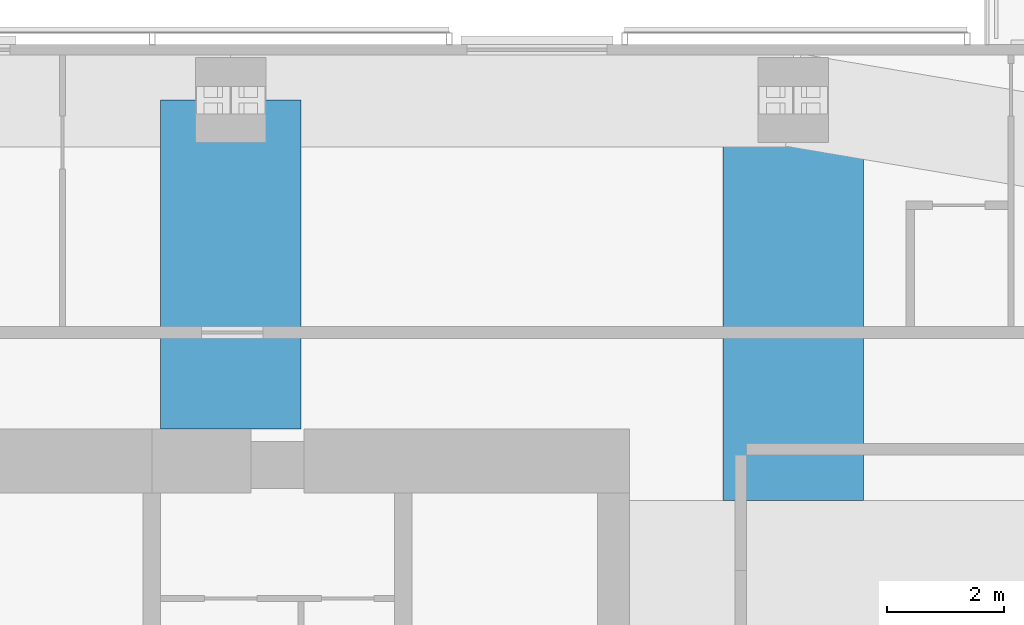
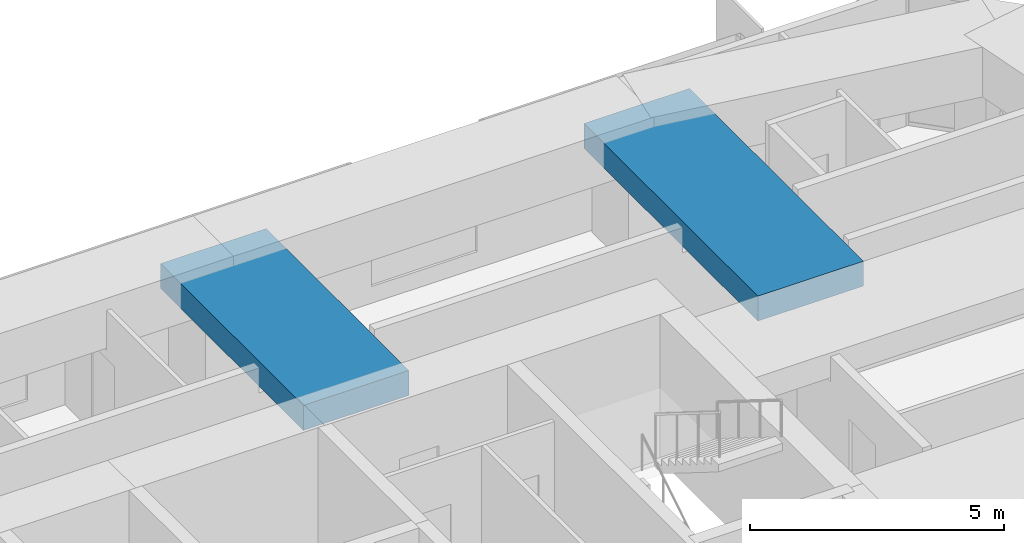
# One storey, part 6 of 18: 2 beams.
"""IFC4 building model written with IfcOpenShell, lengths in metres."""

import ifcopenshell
import ifcopenshell.guid

model = None  # the IFC model being written
_history = None  # IfcOwnerHistory: only IFC2X3 demands one
_inside = {}  # id of a spatial element -> (the spatial element, [elements in it])
_under = {}  # id of a project, library or spatial element -> (it, [spatial elements below it])
_declared = {}  # id of a project -> (the project, [libraries it declares])
_typed = {}  # id of a type object -> (the type object, [elements of that type])
_made_of = {}  # id of a material, layer set ... -> (it, [elements and type objects made of it])


def new_model(schema):
    """Start an empty IFC model of exactly this schema.

    Asked for "IFC4X3", IfcOpenShell would pick the latest addendum, in which some entities
    have other attributes; the version numbers below select the first issue.
    IFC2X3 requires an IfcOwnerHistory on every rooted entity: one is made here for all.
    """
    global model, _history
    if schema == "IFC4X3":
        model = ifcopenshell.file(schema_version=(4, 3, 0, 0))
    else:
        model = ifcopenshell.file(schema=schema)
    _inside.clear()
    _under.clear()
    _declared.clear()
    _typed.clear()
    _made_of.clear()
    _history = None
    if model.schema == "IFC2X3":
        org = make("IfcOrganization", Name="unknown")
        user = make(
            "IfcPersonAndOrganization",
            ThePerson=make("IfcPerson", FamilyName="unknown"),
            TheOrganization=org,
        )
        app = make(
            "IfcApplication",
            ApplicationDeveloper=org,
            Version="unknown",
            ApplicationFullName="unknown",
            ApplicationIdentifier="unknown",
        )
        _history = make(
            "IfcOwnerHistory",
            OwningUser=user,
            OwningApplication=app,
            ChangeAction="ADDED",
            CreationDate=0,
        )
    return model


def make(cls, **values):
    """One entity of the class cls with the attributes given. An attribute that is None is left unset."""
    return model.create_entity(
        cls, **{name: value for name, value in values.items() if value is not None}
    )


def rooted(cls, **values):
    """An entity with a GlobalId (a new one), such as an element, a storey or a relation."""
    return make(cls, GlobalId=ifcopenshell.guid.new(), OwnerHistory=_history, **values)


def si_unit(unit_type, name, prefix=None):
    """IfcSIUnit, for example si_unit("LENGTHUNIT", "METRE", prefix="MILLI")."""
    return make("IfcSIUnit", UnitType=unit_type, Prefix=prefix, Name=name)


def assignment(units):
    """IfcUnitAssignment: the units of a project."""
    return None if units is None else make("IfcUnitAssignment", Units=units)


def point(xyz):
    """IfcCartesianPoint."""
    return None if xyz is None else make("IfcCartesianPoint", Coordinates=xyz)


def direction(xyz):
    """IfcDirection."""
    return None if xyz is None else make("IfcDirection", DirectionRatios=xyz)


def frame(location, z_axis=None, x_axis=None):
    """IfcAxis2Placement3D, a coordinate frame: its origin and axes. An axis left out is left unset."""
    return make(
        "IfcAxis2Placement3D",
        Location=point(location),
        Axis=direction(z_axis),
        RefDirection=direction(x_axis),
    )


def frame_2d(location, x_axis=None):
    """IfcAxis2Placement2D, a coordinate frame in the plane: its origin and x axis."""
    return make(
        "IfcAxis2Placement2D", Location=point(location), RefDirection=direction(x_axis)
    )


def origin():
    """The frame at (0, 0, 0) with its axes left unset."""
    return frame((0.0, 0.0, 0.0))


def origin_2d():
    """The frame at (0, 0) in the plane with its x axis left unset."""
    return frame_2d((0.0, 0.0))


def place(relative_to, where):
    """IfcLocalPlacement: puts the frame where relative to a parent placement (None: the world)."""
    return make(
        "IfcLocalPlacement", PlacementRelTo=relative_to, RelativePlacement=where
    )


def context(
    kind, dimensions, precision=None, world=None, true_north=None, identifier=None
):
    """IfcGeometricRepresentationContext, for example the 3D "Model" context."""
    return make(
        "IfcGeometricRepresentationContext",
        ContextIdentifier=identifier,
        ContextType=kind,
        CoordinateSpaceDimension=dimensions,
        Precision=precision,
        WorldCoordinateSystem=world,
        TrueNorth=true_north,
    )


def subcontext(parent, identifier, kind, view, scale=None):
    """IfcGeometricRepresentationSubContext, for example "Body" below "Model"."""
    return make(
        "IfcGeometricRepresentationSubContext",
        ContextIdentifier=identifier,
        ContextType=kind,
        ParentContext=parent,
        TargetScale=scale,
        TargetView=view,
    )


def project(units=None, contexts=None):
    """IfcProject with its units and contexts."""
    return rooted(
        "IfcProject",
        Name="project",
        RepresentationContexts=contexts,
        UnitsInContext=assignment(units),
    )


def spatial(cls, under=None, at=None, **own):
    """A site, building, storey or space (cls), placed at a placement, below another one or the project."""
    s = rooted(cls, ObjectPlacement=at, **own)
    if under is not None:
        _under.setdefault(under.id(), (under, []))[1].append(s)
    return s


def profile(cls, at=None, kind="AREA", **sizes):
    """A parametric profile (cls). Its sizes go by their IFC names, for example OverallWidth=200.0."""
    return make(cls, ProfileType=kind, Position=at, **sizes)


def rectangle(**sizes):
    """IfcRectangleProfileDef."""
    return profile("IfcRectangleProfileDef", **sizes)


def extrude(swept, where, along, depth):
    """IfcExtrudedAreaSolid: the profile swept, set in the frame where, extruded along a direction by depth."""
    return make(
        "IfcExtrudedAreaSolid",
        SweptArea=swept,
        Position=where,
        ExtrudedDirection=direction(along),
        Depth=depth,
    )


def shape(context_of_items, identifier, shape_type, items):
    """IfcShapeRepresentation: the items that make up one representation, for example the "Body"."""
    return make(
        "IfcShapeRepresentation",
        ContextOfItems=context_of_items,
        RepresentationIdentifier=identifier,
        RepresentationType=shape_type,
        Items=items,
    )


def material(Name=None, Category=None):
    """IfcMaterial."""
    return make("IfcMaterial", Name=Name, Category=Category)


def material_profile(
    of_material, cross_section, Name=None, Category=None, Priority=None
):
    """IfcMaterialProfile: a cross section and its material."""
    return make(
        "IfcMaterialProfile",
        Name=Name,
        Material=of_material,
        Profile=cross_section,
        Priority=Priority,
        Category=Category,
    )


def profile_set(profiles, Name=None, composite=None):
    """IfcMaterialProfileSet."""
    return make(
        "IfcMaterialProfileSet",
        Name=Name,
        MaterialProfiles=profiles,
        CompositeProfile=composite,
    )


def made_of(thing, what):
    """Note that an element or type object is made of a material, layer set ...; save() writes the relation."""
    if what is not None:
        _made_of.setdefault(what.id(), (what, []))[1].append(thing)
    return thing


def type_object(cls, material=None, **own):
    """A type object (cls), such as IfcWallType, which elements share."""
    return made_of(rooted(cls, **own), material)


def element(
    cls,
    number,
    at=None,
    inside=None,
    cuts=None,
    type_object=None,
    material=None,
    context=None,
    identifier="Body",
    shape_type=None,
    held_by="IfcProductDefinitionShape",
    body=None,
    shapes=None,
    **own,
):
    """One element of the class cls, such as IfcWall. Its Tag is "e" and its number.

    at: its placement. inside: the storey or other place that contains it. cuts: it is an
    opening in that element (IfcRelVoidsElement). A single representation is given by context,
    identifier, shape_type and body (its items); several are given by shapes. held_by: the class
    of the entity that holds the representations. save() writes the other relations.
    """
    e = rooted(cls, Tag="e%d" % number, ObjectPlacement=at, **own)
    if body is not None:
        shapes = [shape(context, identifier, shape_type, body)]
    if shapes is not None:
        e.Representation = make(held_by, Representations=shapes)
    if inside is not None:
        _inside.setdefault(inside.id(), (inside, []))[1].append(e)
    if cuts is not None:
        rooted(
            "IfcRelVoidsElement", RelatingBuildingElement=cuts, RelatedOpeningElement=e
        )
    if type_object is not None:
        _typed.setdefault(type_object.id(), (type_object, []))[1].append(e)
    return made_of(e, material)


def aggregate(whole, parts):
    """IfcRelAggregates: a whole, such as a stair, and the parts it consists of."""
    return rooted("IfcRelAggregates", RelatingObject=whole, RelatedObjects=parts)


def save(model, path):
    """Write the relations noted so far, then the file.

    IfcRelAggregates (storeys below a building ...), IfcRelContainedInSpatialStructure (elements
    in a storey), IfcRelDefinesByType, IfcRelAssociatesMaterial and IfcRelDeclares: one each for
    every whole, place, type object, material and project.
    """
    for whole, parts in _under.values():
        aggregate(whole, parts)
    for where, things in _inside.values():
        rooted(
            "IfcRelContainedInSpatialStructure",
            RelatedElements=things,
            RelatingStructure=where,
        )
    for kind, things in _typed.values():
        rooted("IfcRelDefinesByType", RelatedObjects=things, RelatingType=kind)
    for what, things in _made_of.values():
        rooted("IfcRelAssociatesMaterial", RelatedObjects=things, RelatingMaterial=what)
    for by, libraries in _declared.values():
        rooted("IfcRelDeclares", RelatingContext=by, RelatedDefinitions=libraries)
    model.write(path)


model = new_model("IFC4")

# Units and contexts
model_context = context("Model", 3, precision=1e-05, world=origin(), true_north=direction((0.0, 1.0)))
body_context = subcontext(model_context, "Body", "Model", "MODEL_VIEW")
ifc_project = project(units=[si_unit("LENGTHUNIT", "METRE"), si_unit("AREAUNIT", "SQUARE_METRE"), si_unit("VOLUMEUNIT", "CUBIC_METRE"), si_unit("PLANEANGLEUNIT", "RADIAN"), si_unit("MASSUNIT", "GRAM", prefix="KILO")], contexts=[model_context])

# Site, building, storey
site_placement = place(None, origin())
site = spatial("IfcSite", under=ifc_project, at=site_placement, CompositionType="ELEMENT")
building_placement = place(site_placement, origin())
building = spatial("IfcBuilding", under=site, at=building_placement, Name="Jalousie Tower", CompositionType="ELEMENT")
storey_placement = place(building_placement, frame((0.0, 0.0, 249.449951171875)))
storey = spatial("IfcBuildingStorey", under=building, at=storey_placement, Name="L68", CompositionType="ELEMENT", Elevation=249.449951171875)

# Beams
ifc_material = material(Name="Concrete f'c 40 MPa", Category="concrete")
ifc_material_profile = material_profile(ifc_material, rectangle(XDim=2.39990234375, YDim=0.60009765625, at=origin_2d()), Name="RC 2400x600")
ifc_profile_set = profile_set([ifc_material_profile], Name="Concrete f'c 40 MPa")
beam_type = type_object("IfcBeamType", Name="RC BEAM 2400x600", PredefinedType="BEAM", material=ifc_profile_set)
beam_1_placement = place(storey_placement, frame((37.25, 33.050048828125, 2.9599609375), z_axis=(0.0, -1.0, 0.0), x_axis=(1.0, 0.0, 0.0)))
element("IfcBeam", 1, at=beam_1_placement, inside=storey, type_object=beam_type, Name="Floor band beam under L69", PredefinedType="BEAM", context=body_context, shape_type="SweptSolid", body=[
    extrude(rectangle(XDim=2.39990234375, YDim=0.60009765625, at=origin_2d()), origin(), (0.0, 0.0, 1.0), 5.625),
])
beam_2_placement = place(storey_placement, frame((46.875, 33.050048828125, 2.9599609375), z_axis=(0.0, -1.0, 0.0), x_axis=(1.0, 0.0, 0.0)))
element("IfcBeam", 2, at=beam_2_placement, inside=storey, type_object=beam_type, Name="Floor band beam under L69", PredefinedType="BEAM", context=body_context, shape_type="SweptSolid", body=[
    extrude(rectangle(XDim=2.39990234375, YDim=0.60009765625, at=origin_2d()), origin(), (0.0, 0.0, 1.0), 6.85009765625),
])

save(model, "model.ifc")
